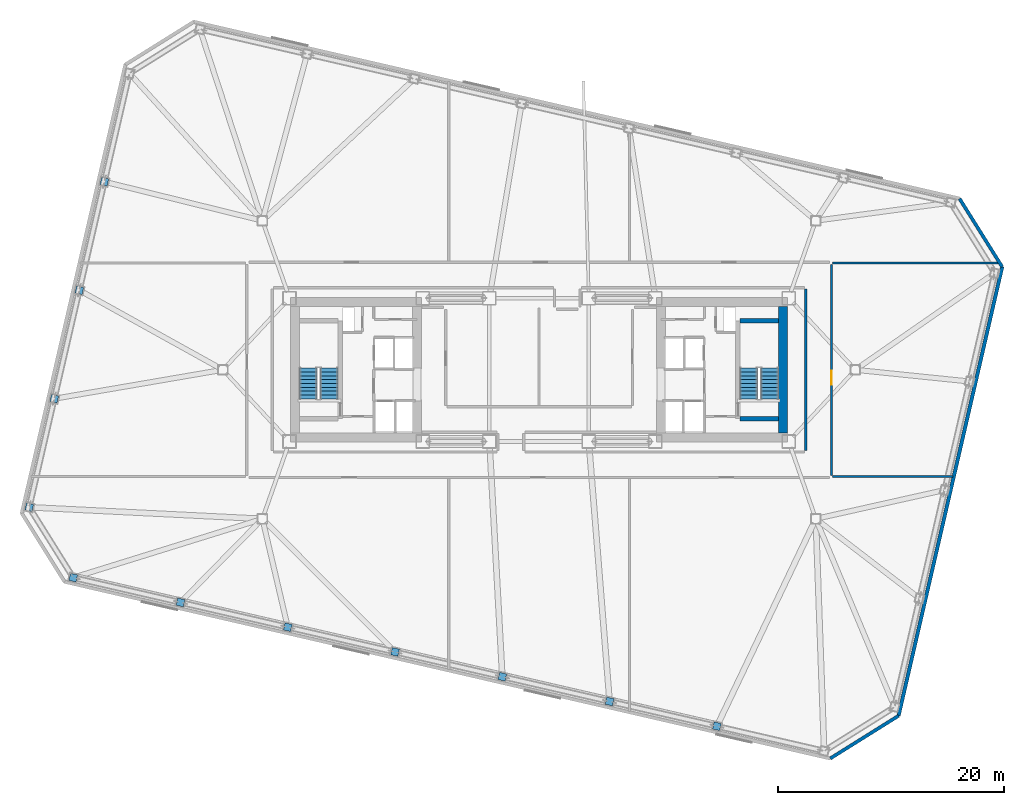
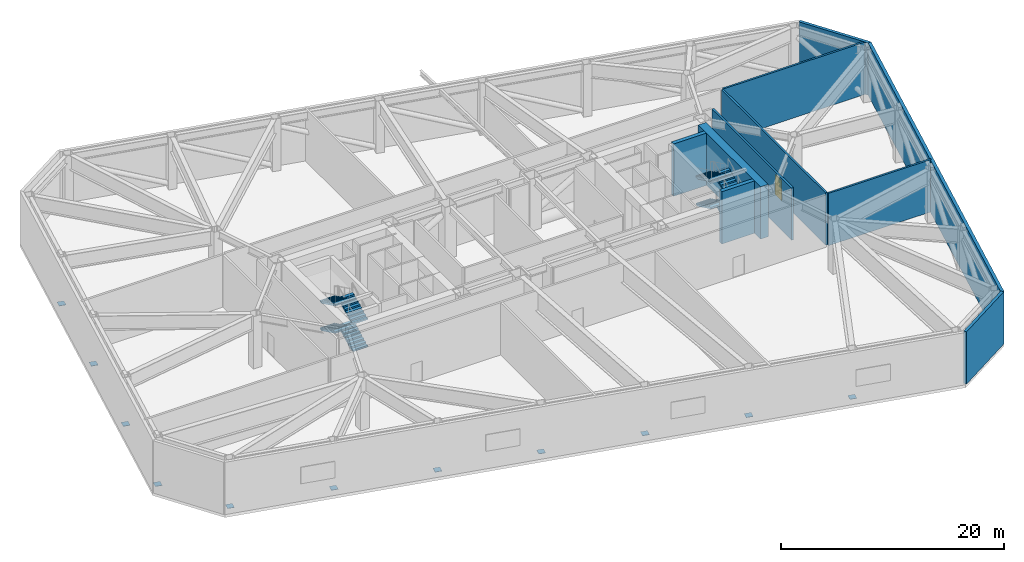
# One storey, part 7 of 15: 11 discrete accessories, 10 walls, 8 stair flights, 1 door, 1 opening, 2 elements without a shape of their own.
"""IFC4 building model written with IfcOpenShell, lengths in metres."""

from ifc_helpers import new_model, si_unit, direction, frame, frame_2d, origin, origin_2d, place, context, subcontext, project, spatial, polyline, rectangle, outline, extrude, material, layer, layer_set, type_object, element, fill, aggregate, save


model = new_model("IFC4")

# Units and contexts
model_context = context("Model", 3, precision=1e-05, world=origin(), true_north=direction((0.0, 1.0)))
body_context = subcontext(model_context, "Body", "Model", "MODEL_VIEW")
ifc_project = project(units=[si_unit("LENGTHUNIT", "METRE"), si_unit("AREAUNIT", "SQUARE_METRE"), si_unit("VOLUMEUNIT", "CUBIC_METRE"), si_unit("PLANEANGLEUNIT", "RADIAN"), si_unit("MASSUNIT", "GRAM", prefix="KILO")], contexts=[model_context])

# Site, building, storey
site_placement = place(None, origin())
site = spatial("IfcSite", under=ifc_project, at=site_placement, CompositionType="ELEMENT")
building_placement = place(site_placement, origin())
building = spatial("IfcBuilding", under=site, at=building_placement, Name="Tavrogorsk Clinical Tower", CompositionType="ELEMENT")
storey_placement = place(building_placement, frame((0.0, 0.0, 33.39990234375)))
storey = spatial("IfcBuildingStorey", under=building, at=storey_placement, Name="L06", CompositionType="ELEMENT", Elevation=33.39990234375)

# Wall, opening, door
ifc_material_1 = material(Name="Concrete B60", Category="concrete")
ifc_layer_1 = layer(ifc_material_1, 0.199951171875)
ifc_layer_set_1 = layer_set([ifc_layer_1], Name="Concrete B60")
wall_type_1 = type_object("IfcWallType", Name="CoreFireWall_200", PredefinedType="SOLIDWALL", material=ifc_layer_set_1)
wall_1_placement = place(storey_placement, frame((25.8798828125, 9.344970703125, 0.0), z_axis=(0.0, 0.0, 1.0), x_axis=(0.0, -1.0, 0.0)))
wall_1 = element("IfcWall", 1, at=wall_1_placement, inside=storey, type_object=wall_type_1, Name="L06 Refuge Corridor Fire Wall 03", PredefinedType="SOLIDWALL", context=body_context, shape_type="SweptSolid", body=[
    extrude(rectangle(XDim=18.68994140625, YDim=0.199951171875, at=frame_2d((9.344970703125, 0.0))), origin(), (0.0, 0.0, 1.0), 5.739990234375),
])
opening_placement = place(wall_1_placement, frame((9.449951171875, 0.0, 0.0)))
opening = element("IfcOpeningElement", 2, at=opening_placement, cuts=wall_1, Name="Opening FD-01", PredefinedType="OPENING", context=body_context, shape_type="SweptSolid", body=[
    extrude(rectangle(XDim=1.199951171875, YDim=2.199951171875, at=frame_2d((0.60009765625, 1.10009765625))), frame((0.0, 0.10986328125, 0.0), z_axis=(0.0, -1.0, 0.0), x_axis=(1.0, 0.0, 0.0)), (0.0, 0.0, 1.0), 0.219970703125),
])
ifc_material_2 = material(Name="Galvanised steel fire-rated door assembly", Category="steel")
door_type = type_object("IfcDoorType", Name="FireDoor_FD01_1200", OperationType="NOTDEFINED", PredefinedType="DOOR", material=ifc_material_2)
door_placement = place(opening_placement, origin())
door = element("IfcDoor", 3, at=door_placement, inside=storey, type_object=door_type, Name="L06 Smoke Extract & Damper Plenum East Fire Door", OperationType="SINGLE_SWING_RIGHT", OverallHeight=2.199951171875, OverallWidth=1.199951171875, PredefinedType="DOOR", context=body_context, shape_type="SweptSolid", body=[
    extrude(rectangle(XDim=1.199951171875, YDim=2.199951171875, at=frame_2d((0.60009765625, 1.10009765625))), frame((0.0, 0.02490234375, 0.0), z_axis=(0.0, -1.0, 0.0), x_axis=(1.0, 0.0, 0.0)), (0.0, 0.0, 1.0), 0.050048828125),
])
fill(opening, door)

# Walls
wall_2_placement = place(storey_placement, frame((23.6201171875, -7.1650390625, 0.0), z_axis=(0.0, 0.0, 1.0), x_axis=(0.0, 1.0, 0.0)))
element("IfcWall", 4, at=wall_2_placement, inside=storey, type_object=wall_type_1, Name="L06 Refuge Corridor Fire Wall 15", PredefinedType="SOLIDWALL", context=body_context, shape_type="SweptSolid", body=[
    extrude(rectangle(XDim=14.330078125, YDim=0.199951171875, at=frame_2d((7.1650390625, 0.0))), origin(), (0.0, 0.0, 1.0), 5.739990234375),
])
wall_3_placement = place(storey_placement, frame((25.985107421875, -9.449951171875, 0.0), z_axis=(0.0, 0.0, 1.0), x_axis=(1.0, 0.0, 0.0)))
element("IfcWall", 5, at=wall_3_placement, inside=storey, type_object=wall_type_1, Name="L06 Refuge & Plant Fire Wall 2", PredefinedType="SOLIDWALL", context=body_context, shape_type="SweptSolid", body=[
    extrude(rectangle(XDim=10.675048828125, YDim=0.199951171875, at=frame_2d((5.33740234375, 0.0))), origin(), (0.0, 0.0, 1.0), 5.739990234375),
])
wall_4_placement = place(storey_placement, frame((25.985107421875, 9.449951171875, 0.0), z_axis=(0.0, 0.0, 1.0), x_axis=(1.0, 0.0, 0.0)))
element("IfcWall", 6, at=wall_4_placement, inside=storey, type_object=wall_type_1, Name="L06 Refuge & Plant Fire Wall 4", PredefinedType="SOLIDWALL", context=body_context, shape_type="SweptSolid", body=[
    extrude(rectangle(XDim=14.6875, YDim=0.199951171875, at=frame_2d((7.34375, 0.0))), origin(), (0.0, 0.0, 1.0), 5.739990234375),
])
ifc_material_3 = material(Name="Precast concrete B45 acoustic plenum wall", Category="concrete")
ifc_layer_2 = layer(ifc_material_3, 0.320068359375)
ifc_layer_set_2 = layer_set([ifc_layer_2], Name="Precast concrete B45 acoustic plenum wall")
wall_type_2 = type_object("IfcWallType", Name="PlantLouvreWall_320", PredefinedType="STANDARD", material=ifc_layer_set_2)
wall_5_placement = place(storey_placement, frame((31.829833984375, -30.63916015625, 0.0), z_axis=(0.0, 0.0, 1.0), x_axis=(0.224951280646, 0.974370012539, 0.0)))
element("IfcWall", 7, at=wall_5_placement, inside=storey, type_object=wall_type_2, Name="L06 E Pleated Limestone Wing Wall", PredefinedType="STANDARD", context=body_context, shape_type="SweptSolid", body=[
    extrude(rectangle(XDim=40.7998046875, YDim=0.320068359375, at=frame_2d((20.39990234375, 0.0))), origin(), (0.0, 0.0, 1.0), 5.739990234375),
])
ifc_material_4 = material(Name="Concrete B80", Category="concrete")
ifc_layer_3 = layer(ifc_material_4, 0.39990234375)
ifc_layer_set_3 = layer_set([ifc_layer_3], Name="Concrete B80")
wall_type_3 = type_object("IfcWallType", Name="ShearWall_400", PredefinedType="SHEAR", material=ifc_layer_set_3)
for number, where, z_axis, x_axis, name in (
    (8, (17.800048828125, -4.324951171875, 0.0), (0.0, 0.0, 1.0), (1.0, 0.0, 0.0), "L06 Core East Stair Shaft South Shear Wall"),
    (9, (17.800048828125, 4.324951171875, 0.0), (0.0, 0.0, 1.0), (1.0, 0.0, 0.0), "L06 Core East Stair Shaft North Shear Wall"),
):
    element("IfcWall", number, at=place(storey_placement, frame(where, z_axis=z_axis, x_axis=x_axis)), inside=storey, type_object=wall_type_3, Name=name, PredefinedType="SHEAR", context=body_context, shape_type="SweptSolid", body=[
        extrude(rectangle(XDim=3.39990234375, YDim=0.39990234375, at=frame_2d((1.699951171875, 0.0))), origin(), (0.0, 0.0, 1.0), 5.739990234375),
    ])
ifc_material_5 = material(Name="Concrete B80", Category="concrete")
ifc_layer_4 = layer(ifc_material_5, 0.800048828125)
ifc_layer_set_4 = layer_set([ifc_layer_4], Name="Concrete B80")
wall_type_4 = type_object("IfcWallType", Name="ShearWall_800", PredefinedType="SHEAR", material=ifc_layer_set_4)
wall_6_placement = place(storey_placement, frame((21.60009765625, -5.60009765625, 0.0), z_axis=(0.0, 0.0, 1.0), x_axis=(0.0, 1.0, 0.0)))
element("IfcWall", 10, at=wall_6_placement, inside=storey, type_object=wall_type_4, Name="L06 Core East End Shear Wall", PredefinedType="SHEAR", context=body_context, shape_type="SweptSolid", body=[
    extrude(rectangle(XDim=11.2001953125, YDim=0.800048828125, at=frame_2d((5.60009765625, 0.0))), origin(), (0.0, 0.0, 1.0), 5.739990234375),
])
ifc_material_6 = material(Name="Precast concrete B45 with mineral wool", Category="concrete")
ifc_layer_5 = layer(ifc_material_6, 0.300048828125)
ifc_layer_set_5 = layer_set([ifc_layer_5], Name="Precast concrete B45 with mineral wool")
wall_type_5 = type_object("IfcWallType", Name="SpandrelBackWall_300", PredefinedType="STANDARD", material=ifc_layer_set_5)
wall_7_placement = place(storey_placement, frame((25.785400390625, -34.416259765625, 0.0), z_axis=(0.0, 0.0, 1.0), x_axis=(0.848040636711, 0.529931201654, 0.0)))
element("IfcWall", 11, at=wall_7_placement, inside=storey, type_object=wall_type_5, Name="L06 Chamfered Corner Wall 1", PredefinedType="STANDARD", context=body_context, shape_type="SweptSolid", body=[
    extrude(rectangle(XDim=7.12744140625, YDim=0.300048828125, at=frame_2d((3.563720703125, 0.0))), origin(), (0.0, 0.0, 1.0), 5.739990234375),
])
wall_8_placement = place(storey_placement, frame((41.0078125, 9.114990234375, 0.0), z_axis=(0.0, 0.0, 1.0), x_axis=(-0.529915808518, 0.848050255517, 0.0)))
element("IfcWall", 12, at=wall_8_placement, inside=storey, type_object=wall_type_5, Name="L06 Chamfered Corner Wall 2", PredefinedType="STANDARD", context=body_context, shape_type="SweptSolid", body=[
    extrude(rectangle(XDim=7.127685546875, YDim=0.300048828125, at=frame_2d((3.56396484375, 0.0))), origin(), (0.0, 0.0, 1.0), 5.739990234375),
])

# Stair, stair flights
ifc_material_7 = material(Name="Concrete B60", Category="concrete")
stair_type = type_object("IfcStairType", Name="CoreStairAssembly", PredefinedType="HALF_TURN_STAIR", material=ifc_material_7)
stair_1_placement = place(storey_placement, origin())
stair_1 = element("IfcStair", 13, at=stair_1_placement, inside=storey, type_object=stair_type, Name="L06 ST-W", PredefinedType="HALF_TURN_STAIR")
ifc_material_8 = material(Name="Concrete B60", Category="concrete")
stair_flight_type = type_object("IfcStairFlightType", Name="CoreStairFlight", PredefinedType="STRAIGHT", material=ifc_material_8)
stair_flight_1_placement = place(storey_placement, frame((-18.574951171875, -2.574951171875, 0.0), z_axis=(0.0, 0.0, 1.0), x_axis=(0.0, 1.0, 0.0)))
stair_flight_1 = element("IfcStairFlight", 14, at=stair_flight_1_placement, type_object=stair_flight_type, Name="ST-W flight 1", NumberOfRisers=9, NumberOfTreads=8, PredefinedType="STRAIGHT", RiserHeight=0.166666667, TreadLength=0.34, context=body_context, shape_type="SweptSolid", body=[
    extrude(outline(polyline([(0.0, 0.0), (0.0, 0.166748046875), (0.340087890625, 0.166748046875), (0.340087890625, 0.333251953125), (0.679931640625, 0.333251953125), (0.679931640625, 0.5), (1.02001953125, 0.5), (1.02001953125, 0.666748046875), (1.360107421875, 0.666748046875), (1.360107421875, 0.833251953125), (1.699951171875, 0.833251953125), (1.699951171875, 1.0), (2.0400390625, 1.0), (2.0400390625, 1.166748046875), (2.3798828125, 1.166748046875), (2.3798828125, 1.333251953125), (2.719970703125, 1.333251953125), (2.719970703125, 1.5), (2.719970703125, 1.16650390625), (0.340576171875, 0.0), (0.0, 0.0)])), frame((0.0, 0.77490234375, 0.0), z_axis=(0.0, -1.0, 0.0), x_axis=(1.0, 0.0, 0.0)), (0.0, 0.0, 1.0), 1.550048828125),
])
stair_flight_2_placement = place(storey_placement, frame((-20.425048828125, 0.14501953125, 1.5), z_axis=(0.0, 0.0, 1.0), x_axis=(0.0, -1.0, 0.0)))
stair_flight_2 = element("IfcStairFlight", 15, at=stair_flight_2_placement, type_object=stair_flight_type, Name="ST-W flight 2", NumberOfRisers=9, NumberOfTreads=8, PredefinedType="STRAIGHT", RiserHeight=0.166666667, TreadLength=0.34, context=body_context, shape_type="SweptSolid", body=[
    extrude(outline(polyline([(0.0, 0.0), (0.0, 0.166748046875), (0.340087890625, 0.166748046875), (0.340087890625, 0.333251953125), (0.679931640625, 0.333251953125), (0.679931640625, 0.5), (1.02001953125, 0.5), (1.02001953125, 0.666748046875), (1.360107421875, 0.666748046875), (1.360107421875, 0.833251953125), (1.699951171875, 0.833251953125), (1.699951171875, 1.0), (2.0400390625, 1.0), (2.0400390625, 1.166748046875), (2.3798828125, 1.166748046875), (2.3798828125, 1.333251953125), (2.719970703125, 1.333251953125), (2.719970703125, 1.5), (2.719970703125, 1.16650390625), (0.340576171875, 0.0), (0.0, 0.0)])), frame((0.0, 0.77490234375, 0.0), z_axis=(0.0, -1.0, 0.0), x_axis=(1.0, 0.0, 0.0)), (0.0, 0.0, 1.0), 1.550048828125),
])
stair_flight_3_placement = place(storey_placement, frame((-18.574951171875, -2.574951171875, 3.0), z_axis=(0.0, 0.0, 1.0), x_axis=(0.0, 1.0, 0.0)))
stair_flight_3 = element("IfcStairFlight", 16, at=stair_flight_3_placement, type_object=stair_flight_type, Name="ST-W flight 3", NumberOfRisers=9, NumberOfTreads=8, PredefinedType="STRAIGHT", RiserHeight=0.166666667, TreadLength=0.34, context=body_context, shape_type="SweptSolid", body=[
    extrude(outline(polyline([(0.0, 0.0), (0.0, 0.166748046875), (0.340087890625, 0.166748046875), (0.340087890625, 0.333251953125), (0.679931640625, 0.333251953125), (0.679931640625, 0.5), (1.02001953125, 0.5), (1.02001953125, 0.666748046875), (1.360107421875, 0.666748046875), (1.360107421875, 0.833251953125), (1.699951171875, 0.833251953125), (1.699951171875, 1.0), (2.0400390625, 1.0), (2.0400390625, 1.166748046875), (2.3798828125, 1.166748046875), (2.3798828125, 1.333251953125), (2.719970703125, 1.333251953125), (2.719970703125, 1.5), (2.719970703125, 1.16650390625), (0.340576171875, 0.0), (0.0, 0.0)])), frame((0.0, 0.77490234375, 0.0), z_axis=(0.0, -1.0, 0.0), x_axis=(1.0, 0.0, 0.0)), (0.0, 0.0, 1.0), 1.550048828125),
])
stair_flight_4_placement = place(storey_placement, frame((-20.425048828125, 0.14501953125, 4.5), z_axis=(0.0, 0.0, 1.0), x_axis=(0.0, -1.0, 0.0)))
stair_flight_4 = element("IfcStairFlight", 17, at=stair_flight_4_placement, type_object=stair_flight_type, Name="ST-W flight 4", NumberOfRisers=9, NumberOfTreads=8, PredefinedType="STRAIGHT", RiserHeight=0.166666667, TreadLength=0.34, context=body_context, shape_type="SweptSolid", body=[
    extrude(outline(polyline([(0.0, 0.0), (0.0, 0.166748046875), (0.340087890625, 0.166748046875), (0.340087890625, 0.333251953125), (0.679931640625, 0.333251953125), (0.679931640625, 0.5), (1.02001953125, 0.5), (1.02001953125, 0.666748046875), (1.360107421875, 0.666748046875), (1.360107421875, 0.833251953125), (1.699951171875, 0.833251953125), (1.699951171875, 1.0), (2.0400390625, 1.0), (2.0400390625, 1.166748046875), (2.3798828125, 1.166748046875), (2.3798828125, 1.333251953125), (2.719970703125, 1.333251953125), (2.719970703125, 1.5), (2.719970703125, 1.16650390625), (0.340576171875, 0.0), (0.0, 0.0)])), frame((0.0, 0.77490234375, 0.0), z_axis=(0.0, -1.0, 0.0), x_axis=(1.0, 0.0, 0.0)), (0.0, 0.0, 1.0), 1.550048828125),
])
aggregate(stair_1, [stair_flight_1, stair_flight_2, stair_flight_3, stair_flight_4])

stair_2_placement = place(storey_placement, origin())
stair_2 = element("IfcStair", 18, at=stair_2_placement, inside=storey, type_object=stair_type, Name="L06 ST-E", PredefinedType="HALF_TURN_STAIR")
stair_flight_5_placement = place(storey_placement, frame((20.425048828125, -2.574951171875, 0.0), z_axis=(0.0, 0.0, 1.0), x_axis=(0.0, 1.0, 0.0)))
stair_flight_5 = element("IfcStairFlight", 19, at=stair_flight_5_placement, type_object=stair_flight_type, Name="ST-E flight 1", NumberOfRisers=9, NumberOfTreads=8, PredefinedType="STRAIGHT", RiserHeight=0.166666667, TreadLength=0.34, context=body_context, shape_type="SweptSolid", body=[
    extrude(outline(polyline([(0.0, 0.0), (0.0, 0.166748046875), (0.340087890625, 0.166748046875), (0.340087890625, 0.333251953125), (0.679931640625, 0.333251953125), (0.679931640625, 0.5), (1.02001953125, 0.5), (1.02001953125, 0.666748046875), (1.360107421875, 0.666748046875), (1.360107421875, 0.833251953125), (1.699951171875, 0.833251953125), (1.699951171875, 1.0), (2.0400390625, 1.0), (2.0400390625, 1.166748046875), (2.3798828125, 1.166748046875), (2.3798828125, 1.333251953125), (2.719970703125, 1.333251953125), (2.719970703125, 1.5), (2.719970703125, 1.16650390625), (0.340576171875, 0.0), (0.0, 0.0)])), frame((0.0, 0.77490234375, 0.0), z_axis=(0.0, -1.0, 0.0), x_axis=(1.0, 0.0, 0.0)), (0.0, 0.0, 1.0), 1.550048828125),
])
stair_flight_6_placement = place(storey_placement, frame((18.574951171875, 0.14501953125, 1.5), z_axis=(0.0, 0.0, 1.0), x_axis=(0.0, -1.0, 0.0)))
stair_flight_6 = element("IfcStairFlight", 20, at=stair_flight_6_placement, type_object=stair_flight_type, Name="ST-E flight 2", NumberOfRisers=9, NumberOfTreads=8, PredefinedType="STRAIGHT", RiserHeight=0.166666667, TreadLength=0.34, context=body_context, shape_type="SweptSolid", body=[
    extrude(outline(polyline([(0.0, 0.0), (0.0, 0.166748046875), (0.340087890625, 0.166748046875), (0.340087890625, 0.333251953125), (0.679931640625, 0.333251953125), (0.679931640625, 0.5), (1.02001953125, 0.5), (1.02001953125, 0.666748046875), (1.360107421875, 0.666748046875), (1.360107421875, 0.833251953125), (1.699951171875, 0.833251953125), (1.699951171875, 1.0), (2.0400390625, 1.0), (2.0400390625, 1.166748046875), (2.3798828125, 1.166748046875), (2.3798828125, 1.333251953125), (2.719970703125, 1.333251953125), (2.719970703125, 1.5), (2.719970703125, 1.16650390625), (0.340576171875, 0.0), (0.0, 0.0)])), frame((0.0, 0.77490234375, 0.0), z_axis=(0.0, -1.0, 0.0), x_axis=(1.0, 0.0, 0.0)), (0.0, 0.0, 1.0), 1.550048828125),
])
stair_flight_7_placement = place(storey_placement, frame((20.425048828125, -2.574951171875, 3.0), z_axis=(0.0, 0.0, 1.0), x_axis=(0.0, 1.0, 0.0)))
stair_flight_7 = element("IfcStairFlight", 21, at=stair_flight_7_placement, type_object=stair_flight_type, Name="ST-E flight 3", NumberOfRisers=9, NumberOfTreads=8, PredefinedType="STRAIGHT", RiserHeight=0.166666667, TreadLength=0.34, context=body_context, shape_type="SweptSolid", body=[
    extrude(outline(polyline([(0.0, 0.0), (0.0, 0.166748046875), (0.340087890625, 0.166748046875), (0.340087890625, 0.333251953125), (0.679931640625, 0.333251953125), (0.679931640625, 0.5), (1.02001953125, 0.5), (1.02001953125, 0.666748046875), (1.360107421875, 0.666748046875), (1.360107421875, 0.833251953125), (1.699951171875, 0.833251953125), (1.699951171875, 1.0), (2.0400390625, 1.0), (2.0400390625, 1.166748046875), (2.3798828125, 1.166748046875), (2.3798828125, 1.333251953125), (2.719970703125, 1.333251953125), (2.719970703125, 1.5), (2.719970703125, 1.16650390625), (0.340576171875, 0.0), (0.0, 0.0)])), frame((0.0, 0.77490234375, 0.0), z_axis=(0.0, -1.0, 0.0), x_axis=(1.0, 0.0, 0.0)), (0.0, 0.0, 1.0), 1.550048828125),
])
stair_flight_8_placement = place(storey_placement, frame((18.574951171875, 0.14501953125, 4.5), z_axis=(0.0, 0.0, 1.0), x_axis=(0.0, -1.0, 0.0)))
stair_flight_8 = element("IfcStairFlight", 22, at=stair_flight_8_placement, type_object=stair_flight_type, Name="ST-E flight 4", NumberOfRisers=9, NumberOfTreads=8, PredefinedType="STRAIGHT", RiserHeight=0.166666667, TreadLength=0.34, context=body_context, shape_type="SweptSolid", body=[
    extrude(outline(polyline([(0.0, 0.0), (0.0, 0.166748046875), (0.340087890625, 0.166748046875), (0.340087890625, 0.333251953125), (0.679931640625, 0.333251953125), (0.679931640625, 0.5), (1.02001953125, 0.5), (1.02001953125, 0.666748046875), (1.360107421875, 0.666748046875), (1.360107421875, 0.833251953125), (1.699951171875, 0.833251953125), (1.699951171875, 1.0), (2.0400390625, 1.0), (2.0400390625, 1.166748046875), (2.3798828125, 1.166748046875), (2.3798828125, 1.333251953125), (2.719970703125, 1.333251953125), (2.719970703125, 1.5), (2.719970703125, 1.16650390625), (0.340576171875, 0.0), (0.0, 0.0)])), frame((0.0, 0.77490234375, 0.0), z_axis=(0.0, -1.0, 0.0), x_axis=(1.0, 0.0, 0.0)), (0.0, 0.0, 1.0), 1.550048828125),
])
aggregate(stair_2, [stair_flight_5, stair_flight_6, stair_flight_7, stair_flight_8])

# Discrete accessories
ifc_material_9 = material(Name="Structural steel S440", Category="steel")
discrete_accessory_type = type_object("IfcDiscreteAccessoryType", Name="TrussEndCapBracket", PredefinedType="BRACKET", material=ifc_material_9)
for number, where, z_axis, x_axis, name in (
    (23, (-41.251220703125, -18.406005859375, 0.330078125), (0.0, 0.0, 1.0), (0.974370064785, -0.224951054344, 0.0), "L06 Hollow Node End Cap S1"),
    (24, (-31.75244140625, -20.598876953125, 0.330078125), (0.0, 0.0, 1.0), (0.974370064785, -0.224951054344, 0.0), "L06 Hollow Node End Cap S2"),
    (25, (-22.25390625, -22.7919921875, 0.330078125), (0.0, 0.0, 1.0), (0.974370064785, -0.224951054344, 0.0), "L06 Hollow Node End Cap S3"),
    (26, (-12.755126953125, -24.98486328125, 0.330078125), (0.0, 0.0, 1.0), (0.974370064785, -0.224951054344, 0.0), "L06 Hollow Node End Cap S4"),
    (27, (-3.25634765625, -27.177734375, 0.330078125), (0.0, 0.0, 1.0), (0.974370064785, -0.224951054344, 0.0), "L06 Hollow Node End Cap S5"),
    (28, (6.2421875, -29.37060546875, 0.330078125), (0.0, 0.0, 1.0), (0.974370064785, -0.224951054344, 0.0), "L06 Hollow Node End Cap S6"),
    (29, (15.740966796875, -31.563720703125, 0.330078125), (0.0, 0.0, 1.0), (0.974370064785, -0.224951054344, 0.0), "L06 Hollow Node End Cap S7"),
    (30, (-38.494140625, 16.65234375, 0.330078125), (0.0, 0.0, 1.0), (0.974370064785, -0.224951054344, 0.0), "L06 Hollow Node End Cap W2"),
    (31, (-40.712158203125, 7.045166015625, 0.330078125), (0.0, 0.0, 1.0), (0.974370064785, -0.224951054344, 0.0), "L06 Hollow Node End Cap W3"),
    (32, (-42.93017578125, -2.562255859375, 0.330078125), (0.0, 0.0, 1.0), (0.974370064785, -0.224951054344, 0.0), "L06 Hollow Node End Cap W4"),
    (33, (-45.148193359375, -12.16943359375, 0.330078125), (0.0, 0.0, 1.0), (0.974370064785, -0.224951054344, 0.0), "L06 Hollow Node End Cap W5"),
):
    element("IfcDiscreteAccessory", number, at=place(storey_placement, frame(where, z_axis=z_axis, x_axis=x_axis)), inside=storey, type_object=discrete_accessory_type, Name=name, PredefinedType="BRACKET", context=body_context, shape_type="SweptSolid", body=[
        extrude(rectangle(XDim=0.64990234375, YDim=0.64990234375, at=origin_2d()), origin(), (0.0, 0.0, 1.0), 0.0400390625),
    ])

save(model, "model.ifc")
